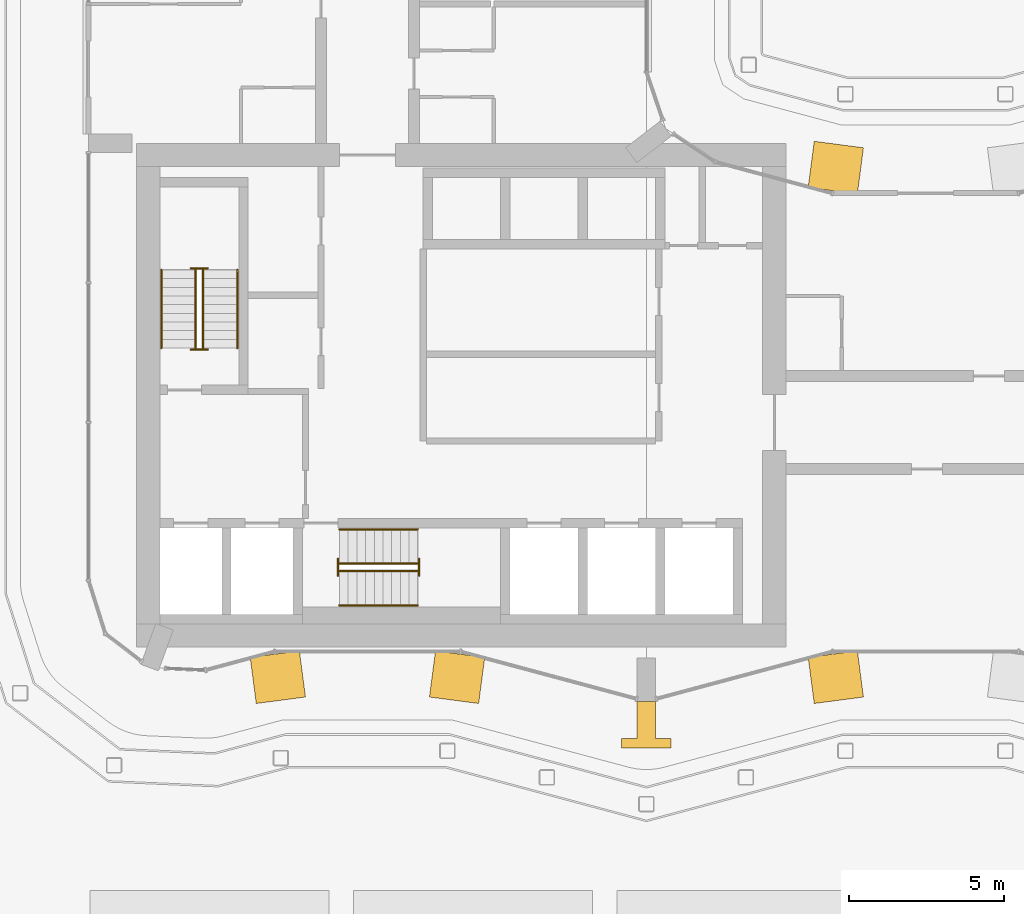
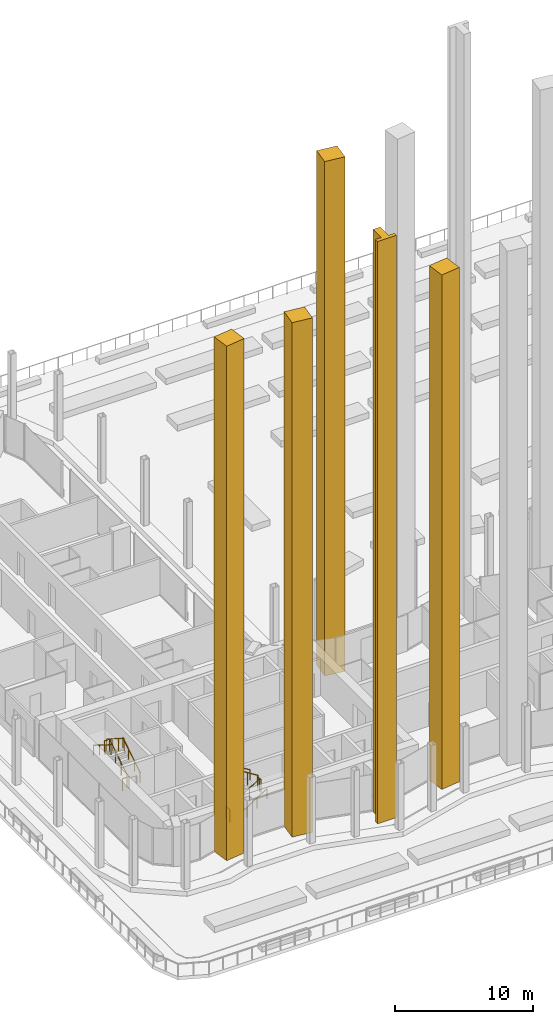
# One storey, part 30 of 33: 12 railings, 5 coverings.
"""IFC4 building model written with IfcOpenShell, lengths in metres."""

from ifc_helpers import new_model, si_unit, direction, frame, origin, origin_2d, place, context, subcontext, project, spatial, polyline, circle, outline, extrude, material, type_object, element, save


model = new_model("IFC4")

# Units and contexts
model_context = context("Model", 3, precision=1e-05, world=origin(), true_north=direction((0.0, 1.0)))
body_context = subcontext(model_context, "Body", "Model", "MODEL_VIEW")
ifc_project = project(units=[si_unit("LENGTHUNIT", "METRE"), si_unit("AREAUNIT", "SQUARE_METRE"), si_unit("VOLUMEUNIT", "CUBIC_METRE"), si_unit("PLANEANGLEUNIT", "RADIAN"), si_unit("MASSUNIT", "GRAM", prefix="KILO")], contexts=[model_context])

# Site, building, storey
site_placement = place(None, origin())
site = spatial("IfcSite", under=ifc_project, at=site_placement, CompositionType="ELEMENT")
building_placement = place(site_placement, origin())
building = spatial("IfcBuilding", under=site, at=building_placement, Name="Plateau Cross Towers", CompositionType="ELEMENT")
storey_placement = place(building_placement, frame((0.0, 0.0, 26.800048828125)))
storey = spatial("IfcBuildingStorey", under=building, at=storey_placement, Name="L05", CompositionType="ELEMENT", Elevation=26.800048828125)

# Coverings
ifc_material_1 = material(Name="Light precast concrete cladding C40/50", Category="concrete")
covering_type_1 = type_object("IfcCoveringType", Name="Flute pier cladding 1600x1500", PredefinedType="CLADDING", material=ifc_material_1)
covering_1_placement = place(storey_placement, origin())
element("IfcCovering", 1, at=covering_1_placement, inside=storey, type_object=covering_type_1, Name="Flute pier", PredefinedType="CLADDING", context=body_context, shape_type="SweptSolid", body=[
    extrude(outline(polyline([(24.80419921875, 16.37158203125), (23.2177734375, 16.580322265625), (23.41357421875, 18.067626953125), (24.999755859375, 17.85888671875), (24.80419921875, 16.37158203125)])), origin(), (0.0, 0.0, 1.0), 45.5),
])
covering_2_placement = place(storey_placement, origin())
element("IfcCovering", 2, at=covering_2_placement, inside=storey, type_object=covering_type_1, Name="Flute pier", PredefinedType="CLADDING", context=body_context, shape_type="SweptSolid", body=[
    extrude(outline(polyline([(5.2177734375, 1.419677734375), (6.80419921875, 1.62841796875), (6.999755859375, 0.14111328125), (5.41357421875, -0.067626953125), (5.2177734375, 1.419677734375)])), origin(), (0.0, 0.0, 1.0), 45.5),
])
covering_3_placement = place(storey_placement, origin())
element("IfcCovering", 3, at=covering_3_placement, inside=storey, type_object=covering_type_1, Name="Flute pier", PredefinedType="CLADDING", context=body_context, shape_type="SweptSolid", body=[
    extrude(outline(polyline([(11.19580078125, 1.62841796875), (12.7822265625, 1.419677734375), (12.58642578125, -0.067626953125), (11.000244140625, 0.14111328125), (11.19580078125, 1.62841796875)])), origin(), (0.0, 0.0, 1.0), 45.5),
])
covering_4_placement = place(storey_placement, origin())
element("IfcCovering", 4, at=covering_4_placement, inside=storey, type_object=covering_type_1, Name="Flute pier", PredefinedType="CLADDING", context=body_context, shape_type="SweptSolid", body=[
    extrude(outline(polyline([(23.2177734375, 1.419677734375), (24.80419921875, 1.62841796875), (24.999755859375, 0.14111328125), (23.41357421875, -0.067626953125), (23.2177734375, 1.419677734375)])), origin(), (0.0, 0.0, 1.0), 45.5),
])
covering_type_2 = type_object("IfcCoveringType", Name="Pier fin cladding 1600x1500", PredefinedType="CLADDING", material=ifc_material_1)
covering_5_placement = place(storey_placement, origin())
element("IfcCovering", 5, at=covering_5_placement, inside=storey, type_object=covering_type_2, Name="Pier fin PR1", PredefinedType="CLADDING", context=body_context, shape_type="SweptSolid", body=[
    extrude(outline(polyline([(17.699951171875, 0.0), (18.300048828125, 0.0), (18.300048828125, -1.199951171875), (18.800048828125, -1.199951171875), (18.800048828125, -1.5), (17.199951171875, -1.5), (17.199951171875, -1.199951171875), (17.699951171875, -1.199951171875), (17.699951171875, 0.0)])), origin(), (0.0, 0.0, 1.0), 51.5),
])

# Railings
ifc_material_2 = material(Name="Stainless steel and toughened glass", Category="steel")
railing_type_1 = type_object("IfcRailingType", Name="RL-GUARD-1100", PredefinedType="GUARDRAIL", material=ifc_material_2)
railing_1_placement = place(storey_placement, frame((3.699951171875, 11.39990234375, 0.175048828125)))
element("IfcRailing", 6, at=railing_1_placement, inside=storey, type_object=railing_type_1, Name="L05 ST-1 stair guard 1", PredefinedType="GUARDRAIL", context=body_context, shape_type="SweptSolid", body=[
    extrude(circle(Radius=0.02392578125, at=origin_2d()), frame((0.0, 0.0, 1.076171875), z_axis=(0.0, 0.848007534815, 0.529984170421), x_axis=(-1.0, 0.0, 0.0)), (0.0, 0.0, 1.0), 2.9716796875),
    extrude(circle(Radius=0.02099609375, at=origin_2d()), origin(), (0.0, 0.0, 1.0), 1.052001953125),
    extrude(circle(Radius=0.02099609375, at=origin_2d()), frame((0.0, 0.840087890625, 0.52490234375)), (0.0, 0.0, 1.0), 1.052001953125),
    extrude(circle(Radius=0.02099609375, at=origin_2d()), frame((0.0, 1.679931640625, 1.050048828125)), (0.0, 0.0, 1.0), 1.052001953125),
    extrude(circle(Radius=0.02099609375, at=origin_2d()), frame((0.0, 2.52001953125, 1.574951171875)), (0.0, 0.0, 1.0), 1.052001953125),
])
railing_2_placement = place(storey_placement, frame((3.85009765625, 13.969970703125, 1.75)))
element("IfcRailing", 7, at=railing_2_placement, inside=storey, type_object=railing_type_1, Name="L05 ST-1 stair guard 2", PredefinedType="GUARDRAIL", context=body_context, shape_type="SweptSolid", body=[
    extrude(circle(Radius=0.02392578125, at=origin_2d()), frame((0.0, 0.0, 1.076171875), z_axis=(-1.0, 0.0, 0.0), x_axis=(0.0, -1.0, 0.0)), (0.0, 0.0, 1.0), 0.550048828125),
    extrude(circle(Radius=0.02099609375, at=origin_2d()), origin(), (0.0, 0.0, 1.0), 1.052001953125),
    extrude(circle(Radius=0.02099609375, at=origin_2d()), frame((-0.550048828125, 0.0, 0.0)), (0.0, 0.0, 1.0), 1.052001953125),
])
railing_3_placement = place(storey_placement, frame((3.449951171875, 13.919921875, 1.925048828125)))
element("IfcRailing", 8, at=railing_3_placement, inside=storey, type_object=railing_type_1, Name="L05 ST-1 stair guard 3", PredefinedType="GUARDRAIL", context=body_context, shape_type="SweptSolid", body=[
    extrude(circle(Radius=0.02392578125, at=origin_2d()), frame((0.0, 0.0, 1.076171875), z_axis=(0.0, -0.852616386126, 0.522537365276), x_axis=(1.0, 0.0, 0.0)), (0.0, 0.0, 1.0), 3.01416015625),
    extrude(circle(Radius=0.02099609375, at=origin_2d()), origin(), (0.0, 0.0, 1.0), 1.052001953125),
    extrude(circle(Radius=0.02099609375, at=origin_2d()), frame((0.0, -0.856689453125, 0.52490234375)), (0.0, 0.0, 1.0), 1.052001953125),
    extrude(circle(Radius=0.02099609375, at=origin_2d()), frame((0.0, -1.713134765625, 1.050048828125)), (0.0, 0.0, 1.0), 1.052001953125),
    extrude(circle(Radius=0.02099609375, at=origin_2d()), frame((0.0, -2.56982421875, 1.574951171875)), (0.0, 0.0, 1.0), 1.052001953125),
])
railing_4_placement = place(storey_placement, frame((3.85009765625, 11.35009765625, 0.0)))
element("IfcRailing", 9, at=railing_4_placement, inside=storey, type_object=railing_type_1, Name="L05 ST-1 stair guard 4", PredefinedType="GUARDRAIL", context=body_context, shape_type="SweptSolid", body=[
    extrude(circle(Radius=0.02392578125, at=origin_2d()), frame((0.0, 0.0, 1.076171875), z_axis=(-1.0, 0.0, 0.0), x_axis=(0.0, -1.0, 0.0)), (0.0, 0.0, 1.0), 0.550048828125),
    extrude(circle(Radius=0.02099609375, at=origin_2d()), origin(), (0.0, 0.0, 1.0), 1.052001953125),
    extrude(circle(Radius=0.02099609375, at=origin_2d()), frame((-0.550048828125, 0.0, 0.0)), (0.0, 0.0, 1.0), 1.052001953125),
])
railing_5_placement = place(storey_placement, frame((8.10009765625, 4.199951171875, 0.175048828125)))
element("IfcRailing", 10, at=railing_5_placement, inside=storey, type_object=railing_type_1, Name="L05 ST-2 stair guard 1", PredefinedType="GUARDRAIL", context=body_context, shape_type="SweptSolid", body=[
    extrude(circle(Radius=0.02392578125, at=origin_2d()), frame((0.0, 0.0, 1.076171875), z_axis=(0.848007534815, 0.0, 0.529984170421), x_axis=(0.0, 1.0, 0.0)), (0.0, 0.0, 1.0), 2.9716796875),
    extrude(circle(Radius=0.02099609375, at=origin_2d()), origin(), (0.0, 0.0, 1.0), 1.052001953125),
    extrude(circle(Radius=0.02099609375, at=origin_2d()), frame((0.840087890625, 0.0, 0.52490234375)), (0.0, 0.0, 1.0), 1.052001953125),
    extrude(circle(Radius=0.02099609375, at=origin_2d()), frame((1.679931640625, 0.0, 1.050048828125)), (0.0, 0.0, 1.0), 1.052001953125),
    extrude(circle(Radius=0.02099609375, at=origin_2d()), frame((2.52001953125, 0.0, 1.574951171875)), (0.0, 0.0, 1.0), 1.052001953125),
])
railing_6_placement = place(storey_placement, frame((10.669921875, 4.050048828125, 1.75)))
element("IfcRailing", 11, at=railing_6_placement, inside=storey, type_object=railing_type_1, Name="L05 ST-2 stair guard 2", PredefinedType="GUARDRAIL", context=body_context, shape_type="SweptSolid", body=[
    extrude(circle(Radius=0.02392578125, at=origin_2d()), frame((0.0, 0.0, 1.076171875), z_axis=(0.0, 1.0, 0.0), x_axis=(-1.0, 0.0, 0.0)), (0.0, 0.0, 1.0), 0.550048828125),
    extrude(circle(Radius=0.02099609375, at=origin_2d()), origin(), (0.0, 0.0, 1.0), 1.052001953125),
    extrude(circle(Radius=0.02099609375, at=origin_2d()), frame((0.0, 0.550048828125, 0.0)), (0.0, 0.0, 1.0), 1.052001953125),
])
railing_7_placement = place(storey_placement, frame((10.6201171875, 4.449951171875, 1.925048828125)))
element("IfcRailing", 12, at=railing_7_placement, inside=storey, type_object=railing_type_1, Name="L05 ST-2 stair guard 3", PredefinedType="GUARDRAIL", context=body_context, shape_type="SweptSolid", body=[
    extrude(circle(Radius=0.02392578125, at=origin_2d()), frame((0.0, 0.0, 1.076171875), z_axis=(-0.852638500773, 0.0, 0.522501279423), x_axis=(0.0, -1.0, 0.0)), (0.0, 0.0, 1.0), 3.01416015625),
    extrude(circle(Radius=0.02099609375, at=origin_2d()), origin(), (0.0, 0.0, 1.0), 1.052001953125),
    extrude(circle(Radius=0.02099609375, at=origin_2d()), frame((-0.856689453125, 0.0, 0.52490234375)), (0.0, 0.0, 1.0), 1.052001953125),
    extrude(circle(Radius=0.02099609375, at=origin_2d()), frame((-1.71337890625, 0.0, 1.050048828125)), (0.0, 0.0, 1.0), 1.052001953125),
    extrude(circle(Radius=0.02099609375, at=origin_2d()), frame((-2.570068359375, 0.0, 1.574951171875)), (0.0, 0.0, 1.0), 1.052001953125),
])
railing_8_placement = place(storey_placement, frame((8.050048828125, 4.050048828125, 0.0)))
element("IfcRailing", 13, at=railing_8_placement, inside=storey, type_object=railing_type_1, Name="L05 ST-2 stair guard 4", PredefinedType="GUARDRAIL", context=body_context, shape_type="SweptSolid", body=[
    extrude(circle(Radius=0.02392578125, at=origin_2d()), frame((0.0, 0.0, 1.076171875), z_axis=(0.0, 1.0, 0.0), x_axis=(-1.0, 0.0, 0.0)), (0.0, 0.0, 1.0), 0.550048828125),
    extrude(circle(Radius=0.02099609375, at=origin_2d()), origin(), (0.0, 0.0, 1.0), 1.052001953125),
    extrude(circle(Radius=0.02099609375, at=origin_2d()), frame((0.0, 0.550048828125, 0.0)), (0.0, 0.0, 1.0), 1.052001953125),
])
ifc_material_3 = material(Name="Black anodised aluminium", Category="aluminium")
railing_type_2 = type_object("IfcRailingType", Name="RL-HANDRAIL-900", PredefinedType="HANDRAIL", material=ifc_material_3)
railing_9_placement = place(storey_placement, frame((4.800048828125, 11.39990234375, 0.175048828125)))
element("IfcRailing", 14, at=railing_9_placement, inside=storey, type_object=railing_type_2, Name="L05 ST-1 stair handrail 1", PredefinedType="HANDRAIL", context=body_context, shape_type="SweptSolid", body=[
    extrude(circle(Radius=0.02392578125, at=origin_2d()), frame((0.0, 0.0, 0.8759765625), z_axis=(0.0, 0.848007534815, 0.529984170421), x_axis=(-1.0, 0.0, 0.0)), (0.0, 0.0, 1.0), 2.9716796875),
    extrude(circle(Radius=0.02099609375, at=origin_2d()), origin(), (0.0, 0.0, 1.0), 0.851806640625),
    extrude(circle(Radius=0.02099609375, at=origin_2d()), frame((0.0, 0.840087890625, 0.52490234375)), (0.0, 0.0, 1.0), 0.851806640625),
    extrude(circle(Radius=0.02099609375, at=origin_2d()), frame((0.0, 1.679931640625, 1.050048828125)), (0.0, 0.0, 1.0), 0.851806640625),
    extrude(circle(Radius=0.02099609375, at=origin_2d()), frame((0.0, 2.52001953125, 1.574951171875)), (0.0, 0.0, 1.0), 0.851806640625),
])
railing_10_placement = place(storey_placement, frame((2.35009765625, 13.919921875, 1.925048828125)))
element("IfcRailing", 15, at=railing_10_placement, inside=storey, type_object=railing_type_2, Name="L05 ST-1 stair handrail 2", PredefinedType="HANDRAIL", context=body_context, shape_type="SweptSolid", body=[
    extrude(circle(Radius=0.02392578125, at=origin_2d()), frame((0.0, 0.0, 0.8759765625), z_axis=(0.0, -0.848007534815, 0.529984170421), x_axis=(1.0, 0.0, 0.0)), (0.0, 0.0, 1.0), 2.9716796875),
    extrude(circle(Radius=0.02099609375, at=origin_2d()), origin(), (0.0, 0.0, 1.0), 0.851806640625),
    extrude(circle(Radius=0.02099609375, at=origin_2d()), frame((0.0, -0.840087890625, 0.52490234375)), (0.0, 0.0, 1.0), 0.851806640625),
    extrude(circle(Radius=0.02099609375, at=origin_2d()), frame((0.0, -1.679931640625, 1.050048828125)), (0.0, 0.0, 1.0), 0.851806640625),
    extrude(circle(Radius=0.02099609375, at=origin_2d()), frame((0.0, -2.52001953125, 1.574951171875)), (0.0, 0.0, 1.0), 0.851806640625),
])
railing_11_placement = place(storey_placement, frame((8.10009765625, 3.10009765625, 0.175048828125)))
element("IfcRailing", 16, at=railing_11_placement, inside=storey, type_object=railing_type_2, Name="L05 ST-2 stair handrail 1", PredefinedType="HANDRAIL", context=body_context, shape_type="SweptSolid", body=[
    extrude(circle(Radius=0.02392578125, at=origin_2d()), frame((0.0, 0.0, 0.8759765625), z_axis=(0.848007534815, 0.0, 0.529984170421), x_axis=(0.0, 1.0, 0.0)), (0.0, 0.0, 1.0), 2.9716796875),
    extrude(circle(Radius=0.02099609375, at=origin_2d()), origin(), (0.0, 0.0, 1.0), 0.851806640625),
    extrude(circle(Radius=0.02099609375, at=origin_2d()), frame((0.840087890625, 0.0, 0.52490234375)), (0.0, 0.0, 1.0), 0.851806640625),
    extrude(circle(Radius=0.02099609375, at=origin_2d()), frame((1.679931640625, 0.0, 1.050048828125)), (0.0, 0.0, 1.0), 0.851806640625),
    extrude(circle(Radius=0.02099609375, at=origin_2d()), frame((2.52001953125, 0.0, 1.574951171875)), (0.0, 0.0, 1.0), 0.851806640625),
])
railing_12_placement = place(storey_placement, frame((10.6201171875, 5.550048828125, 1.925048828125)))
element("IfcRailing", 17, at=railing_12_placement, inside=storey, type_object=railing_type_2, Name="L05 ST-2 stair handrail 2", PredefinedType="HANDRAIL", context=body_context, shape_type="SweptSolid", body=[
    extrude(circle(Radius=0.02392578125, at=origin_2d()), frame((0.0, 0.0, 0.8759765625), z_axis=(-0.848007534815, 0.0, 0.529984170421), x_axis=(0.0, -1.0, 0.0)), (0.0, 0.0, 1.0), 2.9716796875),
    extrude(circle(Radius=0.02099609375, at=origin_2d()), origin(), (0.0, 0.0, 1.0), 0.851806640625),
    extrude(circle(Radius=0.02099609375, at=origin_2d()), frame((-0.840087890625, 0.0, 0.52490234375)), (0.0, 0.0, 1.0), 0.851806640625),
    extrude(circle(Radius=0.02099609375, at=origin_2d()), frame((-1.679931640625, 0.0, 1.050048828125)), (0.0, 0.0, 1.0), 0.851806640625),
    extrude(circle(Radius=0.02099609375, at=origin_2d()), frame((-2.52001953125, 0.0, 1.574951171875)), (0.0, 0.0, 1.0), 0.851806640625),
])

save(model, "model.ifc")
